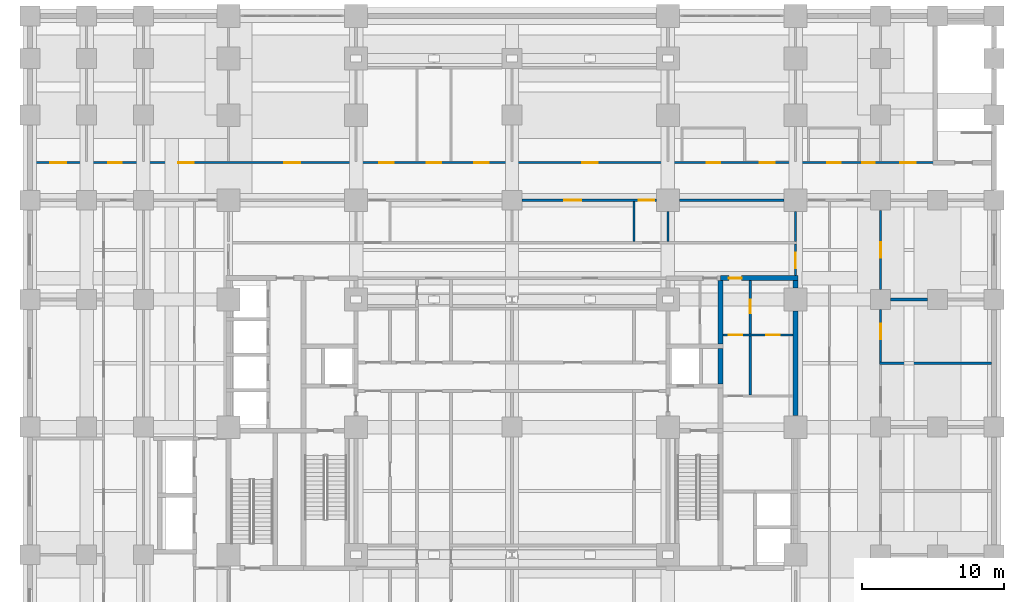
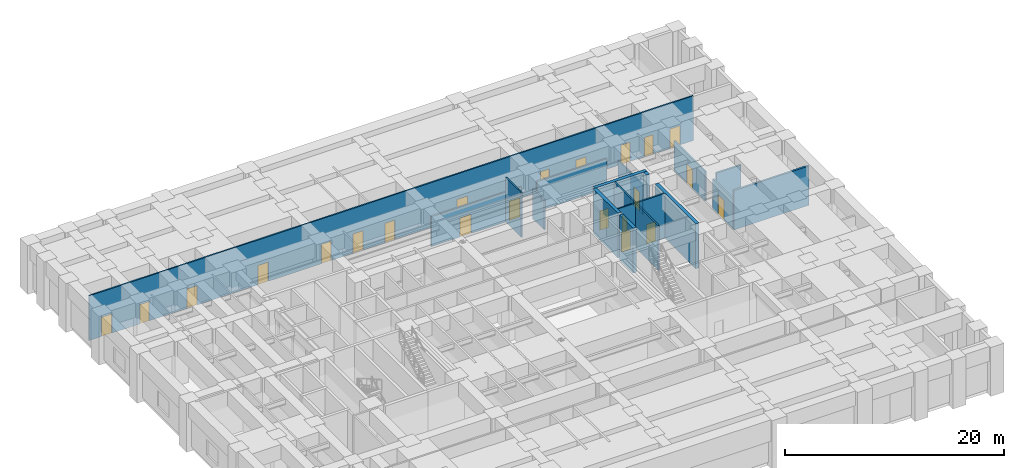
# One storey, part 13 of 22: 22 doors, 19 walls, 22 openings.
"""IFC4 building model written with IfcOpenShell, lengths in metres."""

from ifc_helpers import new_model, si_unit, direction, frame, frame_2d, origin, place, context, subcontext, project, spatial, rectangle, extrude, material, layer, layer_set, type_object, element, fill, save


model = new_model("IFC4")

# Units and contexts
model_context = context("Model", 3, precision=1e-05, world=origin(), true_north=direction((0.0, 1.0)))
body_context = subcontext(model_context, "Body", "Model", "MODEL_VIEW")
ifc_project = project(units=[si_unit("LENGTHUNIT", "METRE"), si_unit("AREAUNIT", "SQUARE_METRE"), si_unit("VOLUMEUNIT", "CUBIC_METRE"), si_unit("PLANEANGLEUNIT", "RADIAN"), si_unit("MASSUNIT", "GRAM", prefix="KILO")], contexts=[model_context])

# Site, building, storey
site_placement = place(None, origin())
site = spatial("IfcSite", under=ifc_project, at=site_placement, CompositionType="ELEMENT")
building_placement = place(site_placement, origin())
building = spatial("IfcBuilding", under=site, at=building_placement, Name="Zulmaris Gate Convention Tower", CompositionType="ELEMENT")
storey_placement = place(building_placement, frame((0.0, 0.0, 21.760009765625)))
storey = spatial("IfcBuildingStorey", under=building, at=storey_placement, Name="L04", CompositionType="ELEMENT", Elevation=21.760009765625)

# Wall, opening, door
ifc_material_1 = material(Name="Concrete C55/67", Category="concrete")
ifc_layer_1 = layer(ifc_material_1, 0.35009765625, Name="Concrete C55/67")
ifc_layer_set_1 = layer_set([ifc_layer_1], Name="Concrete C55/67")
wall_type_1 = type_object("IfcWallType", Name="CORE-350", PredefinedType="SHEAR", material=ifc_layer_set_1)
wall_1_placement = place(storey_placement, frame((14.699951171875, 10.5, 0.0), z_axis=(0.0, 0.0, 1.0), x_axis=(1.0, 0.0, 0.0)))
wall_1 = element("IfcWall", 1, at=wall_1_placement, inside=storey, type_object=wall_type_1, Name="WL-L04-026", PredefinedType="SHEAR", context=body_context, shape_type="SweptSolid", body=[
    extrude(rectangle(XDim=5.47509765625, YDim=0.35009765625, at=frame_2d((2.737548828125, 0.0))), origin(), (0.0, 0.0, 1.0), 4.989990234375),
])
opening_1_placement = place(wall_1_placement, frame((0.60009765625, 0.0, 0.0)))
opening_1 = element("IfcOpeningElement", 2, at=opening_1_placement, cuts=wall_1, Name="Opening D-12", PredefinedType="OPENING", context=body_context, shape_type="SweptSolid", body=[
    extrude(rectangle(XDim=0.89990234375, YDim=2.14990234375, at=frame_2d((0.449951171875, 1.074951171875))), frame((0.0, 0.18505859375, 0.0), z_axis=(0.0, -1.0, 0.0), x_axis=(1.0, 0.0, 0.0)), (0.0, 0.0, 1.0), 0.3701171875),
])
ifc_material_2 = material(Name="Fire-Rated Timber", Category="wood")
door_type_1 = type_object("IfcDoorType", Name="DR-900-FD", OperationType="NOTDEFINED", PredefinedType="DOOR", material=ifc_material_2)
door_1_placement = place(opening_1_placement, origin())
door_1 = element("IfcDoor", 3, at=door_1_placement, inside=storey, type_object=door_type_1, Name="L04 East Service Passage Door 17", OperationType="SINGLE_SWING_LEFT", OverallHeight=2.14990234375, OverallWidth=0.89990234375, PredefinedType="DOOR", context=body_context, shape_type="SweptSolid", body=[
    extrude(rectangle(XDim=0.89990234375, YDim=2.14990234375, at=frame_2d((0.449951171875, 1.074951171875))), frame((0.0, 0.02490234375, 0.0), z_axis=(0.0, -1.0, 0.0), x_axis=(1.0, 0.0, 0.0)), (0.0, 0.0, 1.0), 0.050048828125),
])
fill(opening_1, door_1)

# Walls
wall_2_placement = place(storey_placement, frame((14.699951171875, 3.052001953125, 0.0), z_axis=(0.0, 0.0, 1.0), x_axis=(0.0, 1.0, 0.0)))
element("IfcWall", 4, at=wall_2_placement, inside=storey, type_object=wall_type_1, Name="WL-L04-106", PredefinedType="SHEAR", context=body_context, shape_type="SweptSolid", body=[
    extrude(rectangle(XDim=2.49609375, YDim=0.35009765625, at=frame_2d((1.248046875, 0.0))), origin(), (0.0, 0.0, 1.0), 4.989990234375),
])
wall_3_placement = place(storey_placement, frame((14.699951171875, 5.85205078125, 0.0), z_axis=(0.0, 0.0, 1.0), x_axis=(0.0, 1.0, 0.0)))
element("IfcWall", 5, at=wall_3_placement, inside=storey, type_object=wall_type_1, Name="WL-L04-107", PredefinedType="SHEAR", context=body_context, shape_type="SweptSolid", body=[
    extrude(rectangle(XDim=4.470947265625, YDim=0.35009765625, at=frame_2d((2.2353515625, 0.0))), origin(), (0.0, 0.0, 1.0), 4.989990234375),
])
wall_4_placement = place(storey_placement, frame((20.0, 0.803955078125, 0.0), z_axis=(0.0, 0.0, 1.0), x_axis=(0.0, 1.0, 0.0)))
element("IfcWall", 6, at=wall_4_placement, inside=storey, type_object=wall_type_1, Name="WL-L04-112S1", PredefinedType="SHEAR", context=body_context, shape_type="SweptSolid", body=[
    extrude(rectangle(XDim=7.39208984375, YDim=0.35009765625, at=frame_2d((3.696044921875, 0.0))), origin(), (0.0, 0.0, 1.0), 4.989990234375),
])
wall_5_placement = place(storey_placement, frame((20.0, 9.803955078125, 0.0), z_axis=(0.0, 0.0, 1.0), x_axis=(0.0, 1.0, 0.0)))
element("IfcWall", 7, at=wall_5_placement, inside=storey, type_object=wall_type_1, Name="WL-L04-112S2", PredefinedType="SHEAR", context=body_context, shape_type="SweptSolid", body=[
    extrude(rectangle(XDim=0.51904296875, YDim=0.35009765625, at=frame_2d((0.259521484375, 0.0))), origin(), (0.0, 0.0, 1.0), 4.989990234375),
])

# Wall, openings, doors
ifc_material_3 = material(Name="Gypsum Metal Stud Partition")
ifc_layer_2 = layer(ifc_material_3, 0.14990234375, Name="Gypsum Metal Stud Partition")
ifc_layer_set_2 = layer_set([ifc_layer_2], Name="Gypsum Metal Stud Partition")
wall_type_2 = type_object("IfcWallType", Name="PART-150", PredefinedType="PARTITIONING", material=ifc_layer_set_2)
wall_6_placement = place(storey_placement, frame((14.8779296875, 6.5, 0.0), z_axis=(0.0, 0.0, 1.0), x_axis=(1.0, 0.0, 0.0)))
wall_6 = element("IfcWall", 8, at=wall_6_placement, inside=storey, type_object=wall_type_2, Name="WL-L04-061", PredefinedType="PARTITIONING", context=body_context, shape_type="SweptSolid", body=[
    extrude(rectangle(XDim=4.944091796875, YDim=0.14990234375, at=frame_2d((2.47216796875, 0.0))), origin(), (0.0, 0.0, 1.0), 4.989990234375),
])
opening_2_placement = place(wall_6_placement, frame((0.39697265625, 0.0, 0.0)))
opening_2 = element("IfcOpeningElement", 9, at=opening_2_placement, cuts=wall_6, Name="Opening D-11", PredefinedType="OPENING", context=body_context, shape_type="SweptSolid", body=[
    extrude(rectangle(XDim=0.949951171875, YDim=2.14990234375, at=frame_2d((0.47509765625, 1.074951171875))), frame((0.0, 0.0849609375, 0.0), z_axis=(0.0, -1.0, 0.0), x_axis=(1.0, 0.0, 0.0)), (0.0, 0.0, 1.0), 0.169921875),
])
opening_3_placement = place(wall_6_placement, frame((3.047119140625, 0.0, 0.0)))
opening_3 = element("IfcOpeningElement", 10, at=opening_3_placement, cuts=wall_6, Name="Opening D-11", PredefinedType="OPENING", context=body_context, shape_type="SweptSolid", body=[
    extrude(rectangle(XDim=0.949951171875, YDim=2.14990234375, at=frame_2d((0.47509765625, 1.074951171875))), frame((0.0, 0.0849609375, 0.0), z_axis=(0.0, -1.0, 0.0), x_axis=(1.0, 0.0, 0.0)), (0.0, 0.0, 1.0), 0.169921875),
])
door_type_2 = type_object("IfcDoorType", Name="DR-950-FD", OperationType="NOTDEFINED", PredefinedType="DOOR", material=ifc_material_2)
door_2_placement = place(opening_2_placement, origin())
door_2 = element("IfcDoor", 11, at=door_2_placement, inside=storey, type_object=door_type_2, Name="L04 East Staff WC Door 18", OperationType="SINGLE_SWING_RIGHT", OverallHeight=2.14990234375, OverallWidth=0.949951171875, PredefinedType="DOOR", context=body_context, shape_type="SweptSolid", body=[
    extrude(rectangle(XDim=0.949951171875, YDim=2.14990234375, at=frame_2d((0.47509765625, 1.074951171875))), frame((0.0, 0.02490234375, 0.0), z_axis=(0.0, -1.0, 0.0), x_axis=(1.0, 0.0, 0.0)), (0.0, 0.0, 1.0), 0.050048828125),
])
fill(opening_2, door_2)
door_3_placement = place(opening_3_placement, origin())
door_3 = element("IfcDoor", 12, at=door_3_placement, inside=storey, type_object=door_type_2, Name="L04 East Catering Store Door 21", OperationType="SINGLE_SWING_LEFT", OverallHeight=2.14990234375, OverallWidth=0.949951171875, PredefinedType="DOOR", context=body_context, shape_type="SweptSolid", body=[
    extrude(rectangle(XDim=0.949951171875, YDim=2.14990234375, at=frame_2d((0.47509765625, 1.074951171875))), frame((0.0, 0.02490234375, 0.0), z_axis=(0.0, -1.0, 0.0), x_axis=(1.0, 0.0, 0.0)), (0.0, 0.0, 1.0), 0.050048828125),
])
fill(opening_3, door_3)

wall_7_placement = place(storey_placement, frame((0.7060546875, 16.0, 0.0), z_axis=(0.0, 0.0, 1.0), x_axis=(1.0, 0.0, 0.0)))
wall_7 = element("IfcWall", 13, at=wall_7_placement, inside=storey, type_object=wall_type_2, Name="WL-L04-068S5", PredefinedType="PARTITIONING", context=body_context, shape_type="SweptSolid", body=[
    extrude(rectangle(XDim=9.488037109375, YDim=0.14990234375, at=frame_2d((4.744140625, 0.0))), origin(), (0.0, 0.0, 1.0), 3.33203125),
])
opening_4_placement = place(wall_7_placement, frame((8.238037109375, 0.0, 0.0)))
opening_4 = element("IfcOpeningElement", 14, at=opening_4_placement, cuts=wall_7, Name="Opening D-08", PredefinedType="OPENING", context=body_context, shape_type="SweptSolid", body=[
    extrude(rectangle(XDim=1.10009765625, YDim=2.14990234375, at=frame_2d((0.550048828125, 1.074951171875))), frame((0.0, 0.0849609375, 0.0), z_axis=(0.0, -1.0, 0.0), x_axis=(1.0, 0.0, 0.0)), (0.0, 0.0, 1.0), 0.169921875),
])
opening_5_placement = place(wall_7_placement, frame((2.993896484375, 0.0, 0.0)))
opening_5 = element("IfcOpeningElement", 15, at=opening_5_placement, cuts=wall_7, Name="Opening D-13", PredefinedType="OPENING", context=body_context, shape_type="SweptSolid", body=[
    extrude(rectangle(XDim=1.199951171875, YDim=2.14990234375, at=frame_2d((0.60009765625, 1.074951171875))), frame((0.0, 0.0849609375, 0.0), z_axis=(0.0, -1.0, 0.0), x_axis=(1.0, 0.0, 0.0)), (0.0, 0.0, 1.0), 0.169921875),
])
ifc_material_4 = material(Name="Fire-Rated Steel", Category="steel")
door_type_3 = type_object("IfcDoorType", Name="DR-1100-FD", OperationType="NOTDEFINED", PredefinedType="DOOR", material=ifc_material_4)
door_4_placement = place(opening_4_placement, origin())
door_4 = element("IfcDoor", 16, at=door_4_placement, inside=storey, type_object=door_type_3, Name="L04 NE Concourse Link Door 37", OperationType="SINGLE_SWING_LEFT", OverallHeight=2.14990234375, OverallWidth=1.10009765625, PredefinedType="DOOR", context=body_context, shape_type="SweptSolid", body=[
    extrude(rectangle(XDim=1.10009765625, YDim=2.14990234375, at=frame_2d((0.550048828125, 1.074951171875))), frame((0.0, 0.02490234375, 0.0), z_axis=(0.0, -1.0, 0.0), x_axis=(1.0, 0.0, 0.0)), (0.0, 0.0, 1.0), 0.050048828125),
])
fill(opening_4, door_4)
door_type_4 = type_object("IfcDoorType", Name="DR-1200-FD", OperationType="NOTDEFINED", PredefinedType="DOOR", material=ifc_material_4)
door_5_placement = place(opening_5_placement, origin())
door_5 = element("IfcDoor", 17, at=door_5_placement, inside=storey, type_object=door_type_4, Name="L04 East Pre-Function North Door 49", OperationType="SINGLE_SWING_LEFT", OverallHeight=2.14990234375, OverallWidth=1.199951171875, PredefinedType="DOOR", context=body_context, shape_type="SweptSolid", body=[
    extrude(rectangle(XDim=1.199951171875, YDim=2.14990234375, at=frame_2d((0.60009765625, 1.074951171875))), frame((0.0, 0.02490234375, 0.0), z_axis=(0.0, -1.0, 0.0), x_axis=(1.0, 0.0, 0.0)), (0.0, 0.0, 1.0), 0.050048828125),
])
fill(opening_5, door_5)

# Wall
wall_8_placement = place(storey_placement, frame((11.805908203125, 16.0, 0.0), z_axis=(0.0, 0.0, 1.0), x_axis=(1.0, 0.0, 0.0)))
element("IfcWall", 18, at=wall_8_placement, inside=storey, type_object=wall_type_2, Name="WL-L04-068S6", PredefinedType="PARTITIONING", context=body_context, shape_type="SweptSolid", body=[
    extrude(rectangle(XDim=7.38818359375, YDim=0.14990234375, at=frame_2d((3.694091796875, 0.0))), origin(), (0.0, 0.0, 1.0), 3.33203125),
])

# Wall, openings, doors
wall_9_placement = place(storey_placement, frame((-33.8349609375, 18.64990234375, 0.0), z_axis=(0.0, 0.0, 1.0), x_axis=(1.0, 0.0, 0.0)))
wall_9 = element("IfcWall", 19, at=wall_9_placement, inside=storey, type_object=wall_type_2, Name="WL-L04-069", PredefinedType="PARTITIONING", context=body_context, shape_type="SweptSolid", body=[
    extrude(rectangle(XDim=63.68505859375, YDim=0.14990234375, at=frame_2d((31.842529296875, 0.0))), origin(), (0.0, 0.0, 1.0), 4.989990234375),
])
opening_6_placement = place(wall_9_placement, frame((27.81005859375, 0.0, 0.0)))
opening_6 = element("IfcOpeningElement", 20, at=opening_6_placement, cuts=wall_9, Name="Opening D-09", PredefinedType="OPENING", context=body_context, shape_type="SweptSolid", body=[
    extrude(rectangle(XDim=1.050048828125, YDim=2.14990234375, at=frame_2d((0.52490234375, 1.074951171875))), frame((0.0, 0.0849609375, 0.0), z_axis=(0.0, -1.0, 0.0), x_axis=(1.0, 0.0, 0.0)), (0.0, 0.0, 1.0), 0.169921875),
])
opening_7_placement = place(wall_9_placement, frame((24.4599609375, 0.0, 0.0)))
opening_7 = element("IfcOpeningElement", 21, at=opening_7_placement, cuts=wall_9, Name="Opening D-09", PredefinedType="OPENING", context=body_context, shape_type="SweptSolid", body=[
    extrude(rectangle(XDim=1.050048828125, YDim=2.14990234375, at=frame_2d((0.52490234375, 1.074951171875))), frame((0.0, 0.0849609375, 0.0), z_axis=(0.0, -1.0, 0.0), x_axis=(1.0, 0.0, 0.0)), (0.0, 0.0, 1.0), 0.169921875),
])
opening_8_placement = place(wall_9_placement, frame((31.159912109375, 0.0, 0.0)))
opening_8 = element("IfcOpeningElement", 22, at=opening_8_placement, cuts=wall_9, Name="Opening D-09", PredefinedType="OPENING", context=body_context, shape_type="SweptSolid", body=[
    extrude(rectangle(XDim=1.050048828125, YDim=2.14990234375, at=frame_2d((0.52490234375, 1.074951171875))), frame((0.0, 0.0849609375, 0.0), z_axis=(0.0, -1.0, 0.0), x_axis=(1.0, 0.0, 0.0)), (0.0, 0.0, 1.0), 0.169921875),
])
opening_9_placement = place(wall_9_placement, frame((38.784912109375, 0.0, 0.0)))
opening_9 = element("IfcOpeningElement", 23, at=opening_9_placement, cuts=wall_9, Name="Opening D-08", PredefinedType="OPENING", context=body_context, shape_type="SweptSolid", body=[
    extrude(rectangle(XDim=1.10009765625, YDim=2.14990234375, at=frame_2d((0.550048828125, 1.074951171875))), frame((0.0, 0.0849609375, 0.0), z_axis=(0.0, -1.0, 0.0), x_axis=(1.0, 0.0, 0.0)), (0.0, 0.0, 1.0), 0.169921875),
])
opening_10_placement = place(wall_9_placement, frame((1.284912109375, 0.0, 0.0)))
opening_10 = element("IfcOpeningElement", 24, at=opening_10_placement, cuts=wall_9, Name="Opening D-08", PredefinedType="OPENING", context=body_context, shape_type="SweptSolid", body=[
    extrude(rectangle(XDim=1.10009765625, YDim=2.14990234375, at=frame_2d((0.550048828125, 1.074951171875))), frame((0.0, 0.0849609375, 0.0), z_axis=(0.0, -1.0, 0.0), x_axis=(1.0, 0.0, 0.0)), (0.0, 0.0, 1.0), 0.169921875),
])
opening_11_placement = place(wall_9_placement, frame((5.360107421875, 0.0, 0.0)))
opening_11 = element("IfcOpeningElement", 25, at=opening_11_placement, cuts=wall_9, Name="Opening D-11", PredefinedType="OPENING", context=body_context, shape_type="SweptSolid", body=[
    extrude(rectangle(XDim=0.949951171875, YDim=2.14990234375, at=frame_2d((0.47509765625, 1.074951171875))), frame((0.0, 0.0849609375, 0.0), z_axis=(0.0, -1.0, 0.0), x_axis=(1.0, 0.0, 0.0)), (0.0, 0.0, 1.0), 0.169921875),
])
opening_12_placement = place(wall_9_placement, frame((10.284912109375, 0.0, 0.0)))
opening_12 = element("IfcOpeningElement", 26, at=opening_12_placement, cuts=wall_9, Name="Opening D-08", PredefinedType="OPENING", context=body_context, shape_type="SweptSolid", body=[
    extrude(rectangle(XDim=1.10009765625, YDim=2.14990234375, at=frame_2d((0.550048828125, 1.074951171875))), frame((0.0, 0.0849609375, 0.0), z_axis=(0.0, -1.0, 0.0), x_axis=(1.0, 0.0, 0.0)), (0.0, 0.0, 1.0), 0.169921875),
])
opening_13_placement = place(wall_9_placement, frame((17.784912109375, 0.0, 0.0)))
opening_13 = element("IfcOpeningElement", 27, at=opening_13_placement, cuts=wall_9, Name="Opening D-08", PredefinedType="OPENING", context=body_context, shape_type="SweptSolid", body=[
    extrude(rectangle(XDim=1.10009765625, YDim=2.14990234375, at=frame_2d((0.550048828125, 1.074951171875))), frame((0.0, 0.0849609375, 0.0), z_axis=(0.0, -1.0, 0.0), x_axis=(1.0, 0.0, 0.0)), (0.0, 0.0, 1.0), 0.169921875),
])
opening_14_placement = place(wall_9_placement, frame((61.215087890625, 0.0, 0.0)))
opening_14 = element("IfcOpeningElement", 28, at=opening_14_placement, cuts=wall_9, Name="Opening D-08", PredefinedType="OPENING", context=body_context, shape_type="SweptSolid", body=[
    extrude(rectangle(XDim=1.10009765625, YDim=2.14990234375, at=frame_2d((0.550048828125, 1.074951171875))), frame((0.0, 0.0849609375, 0.0), z_axis=(0.0, -1.0, 0.0), x_axis=(1.0, 0.0, 0.0)), (0.0, 0.0, 1.0), 0.169921875),
])
opening_15_placement = place(wall_9_placement, frame((47.56005859375, 0.0, 0.0)))
opening_15 = element("IfcOpeningElement", 29, at=opening_15_placement, cuts=wall_9, Name="Opening D-11", PredefinedType="OPENING", context=body_context, shape_type="SweptSolid", body=[
    extrude(rectangle(XDim=0.949951171875, YDim=2.14990234375, at=frame_2d((0.47509765625, 1.074951171875))), frame((0.0, 0.0849609375, 0.0), z_axis=(0.0, -1.0, 0.0), x_axis=(1.0, 0.0, 0.0)), (0.0, 0.0, 1.0), 0.169921875),
])
opening_16_placement = place(wall_9_placement, frame((51.31005859375, 0.0, 0.0)))
opening_16 = element("IfcOpeningElement", 30, at=opening_16_placement, cuts=wall_9, Name="Opening D-09", PredefinedType="OPENING", context=body_context, shape_type="SweptSolid", body=[
    extrude(rectangle(XDim=1.050048828125, YDim=2.14990234375, at=frame_2d((0.52490234375, 1.074951171875))), frame((0.0, 0.0849609375, 0.0), z_axis=(0.0, -1.0, 0.0), x_axis=(1.0, 0.0, 0.0)), (0.0, 0.0, 1.0), 0.169921875),
])
opening_17_placement = place(wall_9_placement, frame((56.06005859375, 0.0, 0.0)))
opening_17 = element("IfcOpeningElement", 31, at=opening_17_placement, cuts=wall_9, Name="Opening D-11", PredefinedType="OPENING", context=body_context, shape_type="SweptSolid", body=[
    extrude(rectangle(XDim=0.949951171875, YDim=2.14990234375, at=frame_2d((0.47509765625, 1.074951171875))), frame((0.0, 0.0849609375, 0.0), z_axis=(0.0, -1.0, 0.0), x_axis=(1.0, 0.0, 0.0)), (0.0, 0.0, 1.0), 0.169921875),
])
opening_18_placement = place(wall_9_placement, frame((58.534912109375, 0.0, 0.0)))
opening_18 = element("IfcOpeningElement", 32, at=opening_18_placement, cuts=wall_9, Name="Opening D-12", PredefinedType="OPENING", context=body_context, shape_type="SweptSolid", body=[
    extrude(rectangle(XDim=0.89990234375, YDim=2.14990234375, at=frame_2d((0.449951171875, 1.074951171875))), frame((0.0, 0.0849609375, 0.0), z_axis=(0.0, -1.0, 0.0), x_axis=(1.0, 0.0, 0.0)), (0.0, 0.0, 1.0), 0.169921875),
])
door_type_5 = type_object("IfcDoorType", Name="DR-1050-FD", OperationType="NOTDEFINED", PredefinedType="DOOR", material=ifc_material_4)
door_6_placement = place(opening_6_placement, origin())
door_6 = element("IfcDoor", 33, at=door_6_placement, inside=storey, type_object=door_type_5, Name="L04 North Truss Apex Passage Door 50", OperationType="SINGLE_SWING_RIGHT", OverallHeight=2.14990234375, OverallWidth=1.050048828125, PredefinedType="DOOR", context=body_context, shape_type="SweptSolid", body=[
    extrude(rectangle(XDim=1.050048828125, YDim=2.14990234375, at=frame_2d((0.52490234375, 1.074951171875))), frame((0.0, 0.02490234375, 0.0), z_axis=(0.0, -1.0, 0.0), x_axis=(1.0, 0.0, 0.0)), (0.0, 0.0, 1.0), 0.050048828125),
])
fill(opening_6, door_6)
door_7_placement = place(opening_7_placement, origin())
door_7 = element("IfcDoor", 34, at=door_7_placement, inside=storey, type_object=door_type_5, Name="L04 NW Briefing Door 52", OperationType="SINGLE_SWING_RIGHT", OverallHeight=2.14990234375, OverallWidth=1.050048828125, PredefinedType="DOOR", context=body_context, shape_type="SweptSolid", body=[
    extrude(rectangle(XDim=1.050048828125, YDim=2.14990234375, at=frame_2d((0.52490234375, 1.074951171875))), frame((0.0, 0.02490234375, 0.0), z_axis=(0.0, -1.0, 0.0), x_axis=(1.0, 0.0, 0.0)), (0.0, 0.0, 1.0), 0.050048828125),
])
fill(opening_7, door_7)
door_8_placement = place(opening_8_placement, origin())
door_8 = element("IfcDoor", 35, at=door_8_placement, inside=storey, type_object=door_type_5, Name="L04 NC Seminar Door 53", OperationType="SINGLE_SWING_LEFT", OverallHeight=2.14990234375, OverallWidth=1.050048828125, PredefinedType="DOOR", context=body_context, shape_type="SweptSolid", body=[
    extrude(rectangle(XDim=1.050048828125, YDim=2.14990234375, at=frame_2d((0.52490234375, 1.074951171875))), frame((0.0, 0.02490234375, 0.0), z_axis=(0.0, -1.0, 0.0), x_axis=(1.0, 0.0, 0.0)), (0.0, 0.0, 1.0), 0.050048828125),
])
fill(opening_8, door_8)
door_9_placement = place(opening_16_placement, origin())
door_9 = element("IfcDoor", 36, at=door_9_placement, inside=storey, type_object=door_type_5, Name="L04 NE Delegate Salon Door 61", OperationType="SINGLE_SWING_LEFT", OverallHeight=2.14990234375, OverallWidth=1.050048828125, PredefinedType="DOOR", context=body_context, shape_type="SweptSolid", body=[
    extrude(rectangle(XDim=1.050048828125, YDim=2.14990234375, at=frame_2d((0.52490234375, 1.074951171875))), frame((0.0, 0.02490234375, 0.0), z_axis=(0.0, -1.0, 0.0), x_axis=(1.0, 0.0, 0.0)), (0.0, 0.0, 1.0), 0.050048828125),
])
fill(opening_16, door_9)
door_10_placement = place(opening_9_placement, origin())
door_10 = element("IfcDoor", 37, at=door_10_placement, inside=storey, type_object=door_type_3, Name="L04 NE Seminar Door 54", OperationType="SINGLE_SWING_RIGHT", OverallHeight=2.14990234375, OverallWidth=1.10009765625, PredefinedType="DOOR", context=body_context, shape_type="SweptSolid", body=[
    extrude(rectangle(XDim=1.10009765625, YDim=2.14990234375, at=frame_2d((0.550048828125, 1.074951171875))), frame((0.0, 0.02490234375, 0.0), z_axis=(0.0, -1.0, 0.0), x_axis=(1.0, 0.0, 0.0)), (0.0, 0.0, 1.0), 0.050048828125),
])
fill(opening_9, door_10)
door_11_placement = place(opening_10_placement, origin())
door_11 = element("IfcDoor", 38, at=door_11_placement, inside=storey, type_object=door_type_3, Name="L04 North-West Catering Pantry Door 55", OperationType="SINGLE_SWING_LEFT", OverallHeight=2.14990234375, OverallWidth=1.10009765625, PredefinedType="DOOR", context=body_context, shape_type="SweptSolid", body=[
    extrude(rectangle(XDim=1.10009765625, YDim=2.14990234375, at=frame_2d((0.550048828125, 1.074951171875))), frame((0.0, 0.02490234375, 0.0), z_axis=(0.0, -1.0, 0.0), x_axis=(1.0, 0.0, 0.0)), (0.0, 0.0, 1.0), 0.050048828125),
])
fill(opening_10, door_11)
door_12_placement = place(opening_12_placement, origin())
door_12 = element("IfcDoor", 39, at=door_12_placement, inside=storey, type_object=door_type_3, Name="L04 Delegate Briefing Room NW Door 57", OperationType="SINGLE_SWING_LEFT", OverallHeight=2.14990234375, OverallWidth=1.10009765625, PredefinedType="DOOR", context=body_context, shape_type="SweptSolid", body=[
    extrude(rectangle(XDim=1.10009765625, YDim=2.14990234375, at=frame_2d((0.550048828125, 1.074951171875))), frame((0.0, 0.02490234375, 0.0), z_axis=(0.0, -1.0, 0.0), x_axis=(1.0, 0.0, 0.0)), (0.0, 0.0, 1.0), 0.050048828125),
])
fill(opening_12, door_12)
door_13_placement = place(opening_13_placement, origin())
door_13 = element("IfcDoor", 40, at=door_13_placement, inside=storey, type_object=door_type_3, Name="L04 VIP Diplomatic Lounge Door 58", OperationType="SINGLE_SWING_RIGHT", OverallHeight=2.14990234375, OverallWidth=1.10009765625, PredefinedType="DOOR", context=body_context, shape_type="SweptSolid", body=[
    extrude(rectangle(XDim=1.10009765625, YDim=2.14990234375, at=frame_2d((0.550048828125, 1.074951171875))), frame((0.0, 0.02490234375, 0.0), z_axis=(0.0, -1.0, 0.0), x_axis=(1.0, 0.0, 0.0)), (0.0, 0.0, 1.0), 0.050048828125),
])
fill(opening_13, door_13)
door_14_placement = place(opening_14_placement, origin())
door_14 = element("IfcDoor", 41, at=door_14_placement, inside=storey, type_object=door_type_3, Name="L04 Catering Service Office Door 59", OperationType="SINGLE_SWING_LEFT", OverallHeight=2.14990234375, OverallWidth=1.10009765625, PredefinedType="DOOR", context=body_context, shape_type="SweptSolid", body=[
    extrude(rectangle(XDim=1.10009765625, YDim=2.14990234375, at=frame_2d((0.550048828125, 1.074951171875))), frame((0.0, 0.02490234375, 0.0), z_axis=(0.0, -1.0, 0.0), x_axis=(1.0, 0.0, 0.0)), (0.0, 0.0, 1.0), 0.050048828125),
])
fill(opening_14, door_14)
door_15_placement = place(opening_18_placement, origin())
door_15 = element("IfcDoor", 42, at=door_15_placement, inside=storey, type_object=door_type_1, Name="L04 Prep Kitchen Door 63", OperationType="SINGLE_SWING_LEFT", OverallHeight=2.14990234375, OverallWidth=0.89990234375, PredefinedType="DOOR", context=body_context, shape_type="SweptSolid", body=[
    extrude(rectangle(XDim=0.89990234375, YDim=2.14990234375, at=frame_2d((0.449951171875, 1.074951171875))), frame((0.0, 0.02490234375, 0.0), z_axis=(0.0, -1.0, 0.0), x_axis=(1.0, 0.0, 0.0)), (0.0, 0.0, 1.0), 0.050048828125),
])
fill(opening_18, door_15)
door_16_placement = place(opening_11_placement, origin())
door_16 = element("IfcDoor", 43, at=door_16_placement, inside=storey, type_object=door_type_2, Name="L04 North-West AV Equipment Store Door 56", OperationType="SINGLE_SWING_RIGHT", OverallHeight=2.14990234375, OverallWidth=0.949951171875, PredefinedType="DOOR", context=body_context, shape_type="SweptSolid", body=[
    extrude(rectangle(XDim=0.949951171875, YDim=2.14990234375, at=frame_2d((0.47509765625, 1.074951171875))), frame((0.0, 0.02490234375, 0.0), z_axis=(0.0, -1.0, 0.0), x_axis=(1.0, 0.0, 0.0)), (0.0, 0.0, 1.0), 0.050048828125),
])
fill(opening_11, door_16)
door_17_placement = place(opening_15_placement, origin())
door_17 = element("IfcDoor", 44, at=door_17_placement, inside=storey, type_object=door_type_2, Name="L04 Public Washrooms WC Door 60", OperationType="SINGLE_SWING_RIGHT", OverallHeight=2.14990234375, OverallWidth=0.949951171875, PredefinedType="DOOR", context=body_context, shape_type="SweptSolid", body=[
    extrude(rectangle(XDim=0.949951171875, YDim=2.14990234375, at=frame_2d((0.47509765625, 1.074951171875))), frame((0.0, 0.02490234375, 0.0), z_axis=(0.0, -1.0, 0.0), x_axis=(1.0, 0.0, 0.0)), (0.0, 0.0, 1.0), 0.050048828125),
])
fill(opening_15, door_17)
door_18_placement = place(opening_17_placement, origin())
door_18 = element("IfcDoor", 45, at=door_18_placement, inside=storey, type_object=door_type_2, Name="L04 Accessible WC Door 62", OperationType="SINGLE_SWING_RIGHT", OverallHeight=2.14990234375, OverallWidth=0.949951171875, PredefinedType="DOOR", context=body_context, shape_type="SweptSolid", body=[
    extrude(rectangle(XDim=0.949951171875, YDim=2.14990234375, at=frame_2d((0.47509765625, 1.074951171875))), frame((0.0, 0.02490234375, 0.0), z_axis=(0.0, -1.0, 0.0), x_axis=(1.0, 0.0, 0.0)), (0.0, 0.0, 1.0), 0.050048828125),
])
fill(opening_17, door_18)

# Walls
wall_10_placement = place(storey_placement, frame((8.60009765625, 13.077880859375, 0.0), z_axis=(0.0, 0.0, 1.0), x_axis=(0.0, 1.0, 0.0)))
element("IfcWall", 46, at=wall_10_placement, inside=storey, type_object=wall_type_2, Name="WL-L04-166", PredefinedType="PARTITIONING", context=body_context, shape_type="SweptSolid", body=[
    extrude(rectangle(XDim=2.84423828125, YDim=0.14990234375, at=frame_2d((1.422119140625, 0.0))), origin(), (0.0, 0.0, 1.0), 4.989990234375),
])
wall_11_placement = place(storey_placement, frame((11.0, 13.077880859375, 0.0), z_axis=(0.0, 0.0, 1.0), x_axis=(0.0, 1.0, 0.0)))
element("IfcWall", 47, at=wall_11_placement, inside=storey, type_object=wall_type_2, Name="WL-L04-169", PredefinedType="PARTITIONING", context=body_context, shape_type="SweptSolid", body=[
    extrude(rectangle(XDim=2.1162109375, YDim=0.14990234375, at=frame_2d((1.05810546875, 0.0))), origin(), (0.0, 0.0, 1.0), 3.33203125),
])
wall_12_placement = place(storey_placement, frame((16.800048828125, 2.278076171875, 0.0), z_axis=(0.0, 0.0, 1.0), x_axis=(0.0, 1.0, 0.0)))
element("IfcWall", 48, at=wall_12_placement, inside=storey, type_object=wall_type_2, Name="WL-L04-175", PredefinedType="PARTITIONING", context=body_context, shape_type="SweptSolid", body=[
    extrude(rectangle(XDim=4.14404296875, YDim=0.14990234375, at=frame_2d((2.072021484375, 0.0))), origin(), (0.0, 0.0, 1.0), 4.989990234375),
])

# Wall, opening, door
wall_13_placement = place(storey_placement, frame((16.800048828125, 6.577880859375, 0.0), z_axis=(0.0, 0.0, 1.0), x_axis=(0.0, 1.0, 0.0)))
wall_13 = element("IfcWall", 49, at=wall_13_placement, inside=storey, type_object=wall_type_2, Name="WL-L04-176", PredefinedType="PARTITIONING", context=body_context, shape_type="SweptSolid", body=[
    extrude(rectangle(XDim=3.744140625, YDim=0.14990234375, at=frame_2d((1.8720703125, 0.0))), origin(), (0.0, 0.0, 1.0), 4.989990234375),
])
opening_19_placement = place(wall_13_placement, frame((1.447021484375, 0.0, 0.0)))
opening_19 = element("IfcOpeningElement", 50, at=opening_19_placement, cuts=wall_13, Name="Opening D-11", PredefinedType="OPENING", context=body_context, shape_type="SweptSolid", body=[
    extrude(rectangle(XDim=0.949951171875, YDim=2.14990234375, at=frame_2d((0.47509765625, 1.074951171875))), frame((0.0, 0.0849609375, 0.0), z_axis=(0.0, -1.0, 0.0), x_axis=(1.0, 0.0, 0.0)), (0.0, 0.0, 1.0), 0.169921875),
])
door_19_placement = place(opening_19_placement, origin())
door_19 = element("IfcDoor", 51, at=door_19_placement, inside=storey, type_object=door_type_2, Name="L04 East Vending Pantry Door 20", OperationType="SINGLE_SWING_RIGHT", OverallHeight=2.14990234375, OverallWidth=0.949951171875, PredefinedType="DOOR", context=body_context, shape_type="SweptSolid", body=[
    extrude(rectangle(XDim=0.949951171875, YDim=2.14990234375, at=frame_2d((0.47509765625, 1.074951171875))), frame((0.0, 0.02490234375, 0.0), z_axis=(0.0, -1.0, 0.0), x_axis=(1.0, 0.0, 0.0)), (0.0, 0.0, 1.0), 0.050048828125),
])
fill(opening_19, door_19)

wall_14_placement = place(storey_placement, frame((20.0, 10.677978515625, 0.0), z_axis=(0.0, 0.0, 1.0), x_axis=(0.0, 1.0, 0.0)))
wall_14 = element("IfcWall", 52, at=wall_14_placement, inside=storey, type_object=wall_type_2, Name="WL-L04-179", PredefinedType="PARTITIONING", context=body_context, shape_type="SweptSolid", body=[
    extrude(rectangle(XDim=2.244140625, YDim=0.14990234375, at=frame_2d((1.1220703125, 0.0))), origin(), (0.0, 0.0, 1.0), 3.33203125),
])
opening_20_placement = place(wall_14_placement, frame((0.52197265625, 0.0, 0.0)))
opening_20 = element("IfcOpeningElement", 53, at=opening_20_placement, cuts=wall_14, Name="Opening D-08", PredefinedType="OPENING", context=body_context, shape_type="SweptSolid", body=[
    extrude(rectangle(XDim=1.10009765625, YDim=2.14990234375, at=frame_2d((0.550048828125, 1.074951171875))), frame((0.0, 0.0849609375, 0.0), z_axis=(0.0, -1.0, 0.0), x_axis=(1.0, 0.0, 0.0)), (0.0, 0.0, 1.0), 0.169921875),
])
door_20_placement = place(opening_20_placement, origin())
door_20 = element("IfcDoor", 54, at=door_20_placement, inside=storey, type_object=door_type_3, Name="L04 East Passage North Door 43", OperationType="SINGLE_SWING_LEFT", OverallHeight=2.14990234375, OverallWidth=1.10009765625, PredefinedType="DOOR", context=body_context, shape_type="SweptSolid", body=[
    extrude(rectangle(XDim=1.10009765625, YDim=2.14990234375, at=frame_2d((0.550048828125, 1.074951171875))), frame((0.0, 0.02490234375, 0.0), z_axis=(0.0, -1.0, 0.0), x_axis=(1.0, 0.0, 0.0)), (0.0, 0.0, 1.0), 0.050048828125),
])
fill(opening_20, door_20)

# Wall
wall_15_placement = place(storey_placement, frame((20.0, 13.077880859375, 0.0), z_axis=(0.0, 0.0, 1.0), x_axis=(0.0, 1.0, 0.0)))
element("IfcWall", 55, at=wall_15_placement, inside=storey, type_object=wall_type_2, Name="WL-L04-180", PredefinedType="PARTITIONING", context=body_context, shape_type="SweptSolid", body=[
    extrude(rectangle(XDim=2.1162109375, YDim=0.14990234375, at=frame_2d((1.05810546875, 0.0))), origin(), (0.0, 0.0, 1.0), 3.33203125),
])

# Wall, opening, door
wall_16_placement = place(storey_placement, frame((26.0, 4.60302734375, 0.0), z_axis=(0.0, 0.0, 1.0), x_axis=(0.0, 1.0, 0.0)))
wall_16 = element("IfcWall", 56, at=wall_16_placement, inside=storey, type_object=wall_type_2, Name="WL-L04-190", PredefinedType="PARTITIONING", context=body_context, shape_type="SweptSolid", body=[
    extrude(rectangle(XDim=3.69091796875, YDim=0.14990234375, at=frame_2d((1.845458984375, 0.0))), origin(), (0.0, 0.0, 1.0), 3.33203125),
])
opening_21_placement = place(wall_16_placement, frame((1.596923828125, 0.0, 0.0)))
opening_21 = element("IfcOpeningElement", 57, at=opening_21_placement, cuts=wall_16, Name="Opening D-08", PredefinedType="OPENING", context=body_context, shape_type="SweptSolid", body=[
    extrude(rectangle(XDim=1.10009765625, YDim=2.14990234375, at=frame_2d((0.550048828125, 1.074951171875))), frame((0.0, 0.0849609375, 0.0), z_axis=(0.0, -1.0, 0.0), x_axis=(1.0, 0.0, 0.0)), (0.0, 0.0, 1.0), 0.169921875),
])
door_21_placement = place(opening_21_placement, origin())
door_21 = element("IfcDoor", 58, at=door_21_placement, inside=storey, type_object=door_type_3, Name="L04 East Room E5 Door 78", OperationType="SINGLE_SWING_RIGHT", OverallHeight=2.14990234375, OverallWidth=1.10009765625, PredefinedType="DOOR", context=body_context, shape_type="SweptSolid", body=[
    extrude(rectangle(XDim=1.10009765625, YDim=2.14990234375, at=frame_2d((0.550048828125, 1.074951171875))), frame((0.0, 0.02490234375, 0.0), z_axis=(0.0, -1.0, 0.0), x_axis=(1.0, 0.0, 0.0)), (0.0, 0.0, 1.0), 0.050048828125),
])
fill(opening_21, door_21)

wall_17_placement = place(storey_placement, frame((26.0, 9.7060546875, 0.0), z_axis=(0.0, 0.0, 1.0), x_axis=(0.0, 1.0, 0.0)))
wall_17 = element("IfcWall", 59, at=wall_17_placement, inside=storey, type_object=wall_type_2, Name="WL-L04-191", PredefinedType="PARTITIONING", context=body_context, shape_type="SweptSolid", body=[
    extrude(rectangle(XDim=5.587890625, YDim=0.14990234375, at=frame_2d((2.7939453125, 0.0))), origin(), (0.0, 0.0, 1.0), 3.33203125),
])
opening_22_placement = place(wall_17_placement, frame((2.243896484375, 0.0, 0.0)))
opening_22 = element("IfcOpeningElement", 60, at=opening_22_placement, cuts=wall_17, Name="Opening D-08", PredefinedType="OPENING", context=body_context, shape_type="SweptSolid", body=[
    extrude(rectangle(XDim=1.10009765625, YDim=2.14990234375, at=frame_2d((0.550048828125, 1.074951171875))), frame((0.0, 0.0849609375, 0.0), z_axis=(0.0, -1.0, 0.0), x_axis=(1.0, 0.0, 0.0)), (0.0, 0.0, 1.0), 0.169921875),
])
door_22_placement = place(opening_22_placement, origin())
door_22 = element("IfcDoor", 61, at=door_22_placement, inside=storey, type_object=door_type_3, Name="L04 East Room E6 Door 79", OperationType="SINGLE_SWING_LEFT", OverallHeight=2.14990234375, OverallWidth=1.10009765625, PredefinedType="DOOR", context=body_context, shape_type="SweptSolid", body=[
    extrude(rectangle(XDim=1.10009765625, YDim=2.14990234375, at=frame_2d((0.550048828125, 1.074951171875))), frame((0.0, 0.02490234375, 0.0), z_axis=(0.0, -1.0, 0.0), x_axis=(1.0, 0.0, 0.0)), (0.0, 0.0, 1.0), 0.050048828125),
])
fill(opening_22, door_22)

# Walls
ifc_material_5 = material(Name="Autoclaved Aerated Concrete Block and Plasterboard", Category="concrete")
ifc_layer_3 = layer(ifc_material_5, 0.199951171875, Name="Autoclaved Aerated Concrete Block and Plasterboard")
ifc_layer_set_3 = layer_set([ifc_layer_3], Name="Autoclaved Aerated Concrete Block and Plasterboard")
wall_type_3 = type_object("IfcWallType", Name="PART-200", PredefinedType="PARTITIONING", material=ifc_layer_set_3)
wall_18_placement = place(storey_placement, frame((25.925048828125, 4.5, 0.0), z_axis=(0.0, 0.0, 1.0), x_axis=(1.0, 0.0, 0.0)))
element("IfcWall", 62, at=wall_18_placement, inside=storey, type_object=wall_type_3, Name="WL-L04-057", PredefinedType="PARTITIONING", context=body_context, shape_type="SweptSolid", body=[
    extrude(rectangle(XDim=7.909912109375, YDim=0.199951171875, at=frame_2d((3.955078125, 0.0))), origin(), (0.0, 0.0, 1.0), 4.3798828125),
])
wall_19_placement = place(storey_placement, frame((26.7060546875, 9.0, 0.0), z_axis=(0.0, 0.0, 1.0), x_axis=(1.0, 0.0, 0.0)))
element("IfcWall", 63, at=wall_19_placement, inside=storey, type_object=wall_type_3, Name="WL-L04-065", PredefinedType="PARTITIONING", context=body_context, shape_type="SweptSolid", body=[
    extrude(rectangle(XDim=2.587890625, YDim=0.199951171875, at=frame_2d((1.2939453125, 0.0))), origin(), (0.0, 0.0, 1.0), 3.33203125),
])

save(model, "model.ifc")
